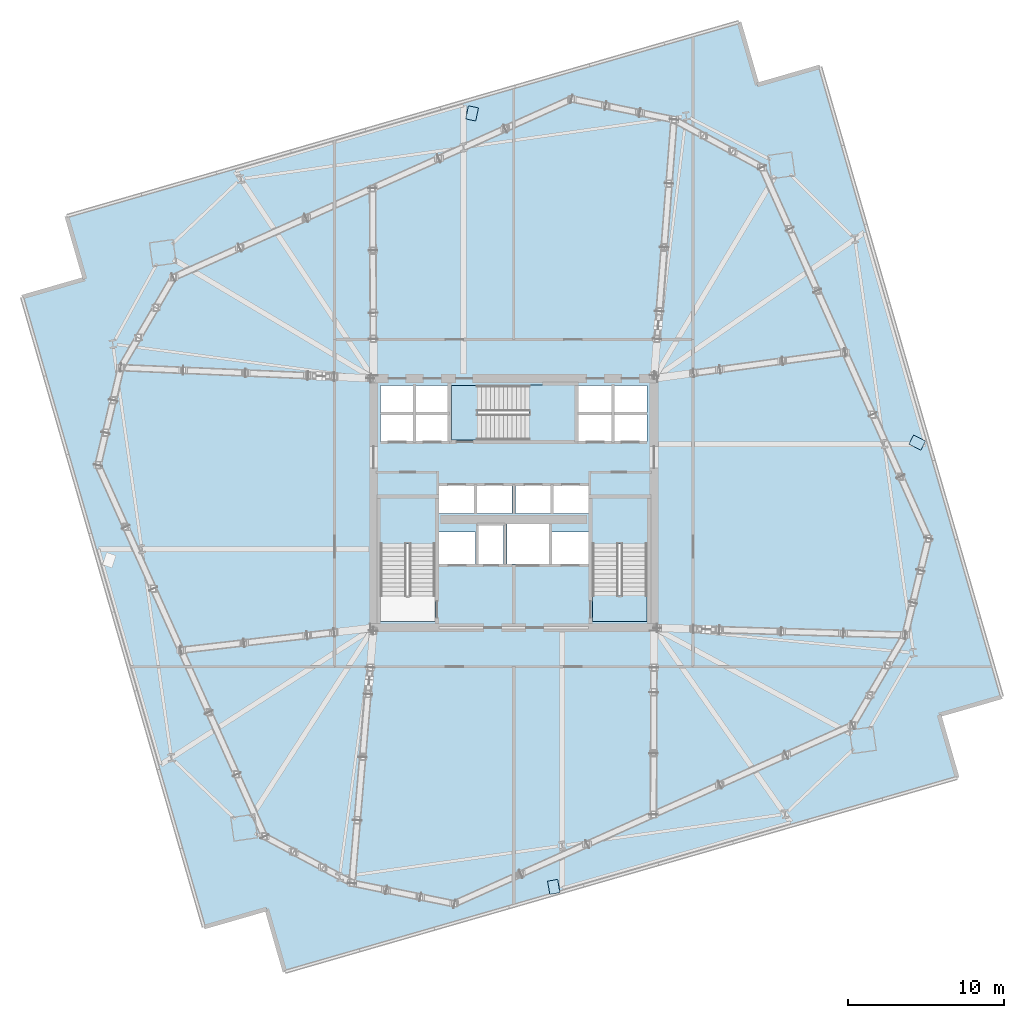
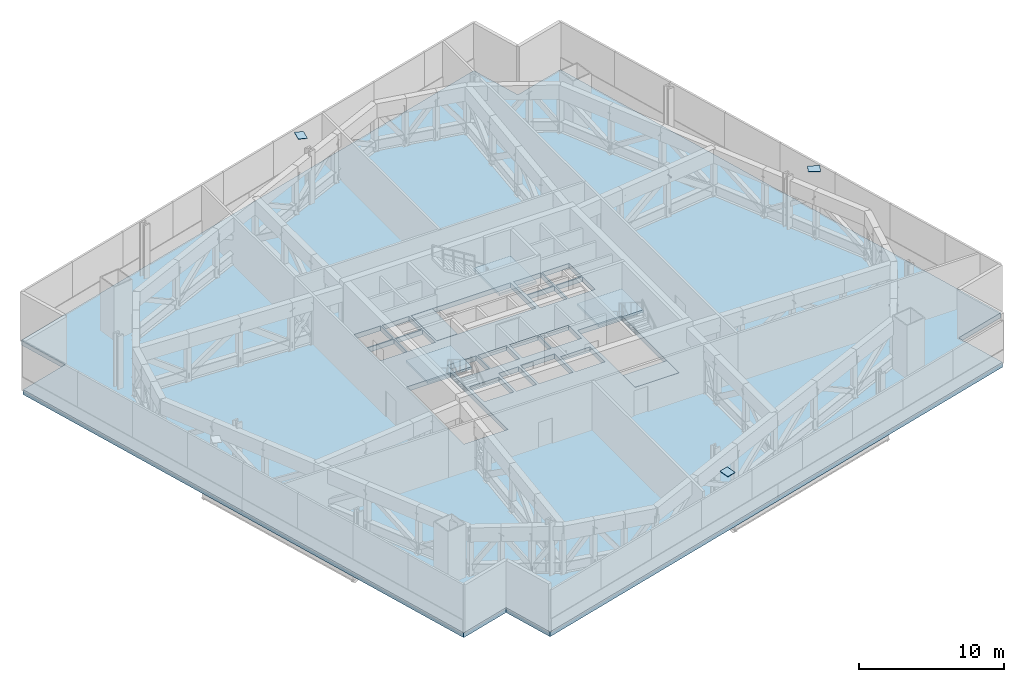
# One storey, part 7 of 19: 6 slabs, 3 plates, 3 elements without a shape of their own.
"""IFC4 building model written with IfcOpenShell, lengths in metres."""

import ifcopenshell
import ifcopenshell.guid

model = None  # the IFC model being written
_history = None  # IfcOwnerHistory: only IFC2X3 demands one
_inside = {}  # id of a spatial element -> (the spatial element, [elements in it])
_under = {}  # id of a project, library or spatial element -> (it, [spatial elements below it])
_declared = {}  # id of a project -> (the project, [libraries it declares])
_typed = {}  # id of a type object -> (the type object, [elements of that type])
_made_of = {}  # id of a material, layer set ... -> (it, [elements and type objects made of it])


def new_model(schema):
    """Start an empty IFC model of exactly this schema.

    Asked for "IFC4X3", IfcOpenShell would pick the latest addendum, in which some entities
    have other attributes; the version numbers below select the first issue.
    IFC2X3 requires an IfcOwnerHistory on every rooted entity: one is made here for all.
    """
    global model, _history
    if schema == "IFC4X3":
        model = ifcopenshell.file(schema_version=(4, 3, 0, 0))
    else:
        model = ifcopenshell.file(schema=schema)
    _inside.clear()
    _under.clear()
    _declared.clear()
    _typed.clear()
    _made_of.clear()
    _history = None
    if model.schema == "IFC2X3":
        org = make("IfcOrganization", Name="unknown")
        user = make(
            "IfcPersonAndOrganization",
            ThePerson=make("IfcPerson", FamilyName="unknown"),
            TheOrganization=org,
        )
        app = make(
            "IfcApplication",
            ApplicationDeveloper=org,
            Version="unknown",
            ApplicationFullName="unknown",
            ApplicationIdentifier="unknown",
        )
        _history = make(
            "IfcOwnerHistory",
            OwningUser=user,
            OwningApplication=app,
            ChangeAction="ADDED",
            CreationDate=0,
        )
    return model


def make(cls, **values):
    """One entity of the class cls with the attributes given. An attribute that is None is left unset."""
    return model.create_entity(
        cls, **{name: value for name, value in values.items() if value is not None}
    )


def rooted(cls, **values):
    """An entity with a GlobalId (a new one), such as an element, a storey or a relation."""
    return make(cls, GlobalId=ifcopenshell.guid.new(), OwnerHistory=_history, **values)


def si_unit(unit_type, name, prefix=None):
    """IfcSIUnit, for example si_unit("LENGTHUNIT", "METRE", prefix="MILLI")."""
    return make("IfcSIUnit", UnitType=unit_type, Prefix=prefix, Name=name)


def assignment(units):
    """IfcUnitAssignment: the units of a project."""
    return None if units is None else make("IfcUnitAssignment", Units=units)


def point(xyz):
    """IfcCartesianPoint."""
    return None if xyz is None else make("IfcCartesianPoint", Coordinates=xyz)


def direction(xyz):
    """IfcDirection."""
    return None if xyz is None else make("IfcDirection", DirectionRatios=xyz)


def frame(location, z_axis=None, x_axis=None):
    """IfcAxis2Placement3D, a coordinate frame: its origin and axes. An axis left out is left unset."""
    return make(
        "IfcAxis2Placement3D",
        Location=point(location),
        Axis=direction(z_axis),
        RefDirection=direction(x_axis),
    )


def frame_2d(location, x_axis=None):
    """IfcAxis2Placement2D, a coordinate frame in the plane: its origin and x axis."""
    return make(
        "IfcAxis2Placement2D", Location=point(location), RefDirection=direction(x_axis)
    )


def origin():
    """The frame at (0, 0, 0) with its axes left unset."""
    return frame((0.0, 0.0, 0.0))


def origin_2d():
    """The frame at (0, 0) in the plane with its x axis left unset."""
    return frame_2d((0.0, 0.0))


def place(relative_to, where):
    """IfcLocalPlacement: puts the frame where relative to a parent placement (None: the world)."""
    return make(
        "IfcLocalPlacement", PlacementRelTo=relative_to, RelativePlacement=where
    )


def context(
    kind, dimensions, precision=None, world=None, true_north=None, identifier=None
):
    """IfcGeometricRepresentationContext, for example the 3D "Model" context."""
    return make(
        "IfcGeometricRepresentationContext",
        ContextIdentifier=identifier,
        ContextType=kind,
        CoordinateSpaceDimension=dimensions,
        Precision=precision,
        WorldCoordinateSystem=world,
        TrueNorth=true_north,
    )


def subcontext(parent, identifier, kind, view, scale=None):
    """IfcGeometricRepresentationSubContext, for example "Body" below "Model"."""
    return make(
        "IfcGeometricRepresentationSubContext",
        ContextIdentifier=identifier,
        ContextType=kind,
        ParentContext=parent,
        TargetScale=scale,
        TargetView=view,
    )


def project(units=None, contexts=None):
    """IfcProject with its units and contexts."""
    return rooted(
        "IfcProject",
        Name="project",
        RepresentationContexts=contexts,
        UnitsInContext=assignment(units),
    )


def spatial(cls, under=None, at=None, **own):
    """A site, building, storey or space (cls), placed at a placement, below another one or the project."""
    s = rooted(cls, ObjectPlacement=at, **own)
    if under is not None:
        _under.setdefault(under.id(), (under, []))[1].append(s)
    return s


def polyline(points):
    """IfcPolyline through the points."""
    return make("IfcPolyline", Points=[point(p) for p in points])


def profile(cls, at=None, kind="AREA", **sizes):
    """A parametric profile (cls). Its sizes go by their IFC names, for example OverallWidth=200.0."""
    return make(cls, ProfileType=kind, Position=at, **sizes)


def rectangle(**sizes):
    """IfcRectangleProfileDef."""
    return profile("IfcRectangleProfileDef", **sizes)


def outline(outer, holes=None, kind="AREA"):
    """IfcArbitraryClosedProfileDef: a profile drawn as a closed curve; with holes, ...WithVoids."""
    if holes is None:
        return make("IfcArbitraryClosedProfileDef", ProfileType=kind, OuterCurve=outer)
    return make(
        "IfcArbitraryProfileDefWithVoids",
        ProfileType=kind,
        OuterCurve=outer,
        InnerCurves=holes,
    )


def extrude(swept, where, along, depth):
    """IfcExtrudedAreaSolid: the profile swept, set in the frame where, extruded along a direction by depth."""
    return make(
        "IfcExtrudedAreaSolid",
        SweptArea=swept,
        Position=where,
        ExtrudedDirection=direction(along),
        Depth=depth,
    )


def shape(context_of_items, identifier, shape_type, items):
    """IfcShapeRepresentation: the items that make up one representation, for example the "Body"."""
    return make(
        "IfcShapeRepresentation",
        ContextOfItems=context_of_items,
        RepresentationIdentifier=identifier,
        RepresentationType=shape_type,
        Items=items,
    )


def source(mapping_origin, context_of_items, identifier, shape_type, items):
    """IfcRepresentationMap: a shape defined once, which mapped items show again and again."""
    return make(
        "IfcRepresentationMap",
        MappingOrigin=mapping_origin,
        MappedRepresentation=shape(context_of_items, identifier, shape_type, items),
    )


def transform(
    local_origin,
    x_axis=None,
    y_axis=None,
    z_axis=None,
    scale=None,
    scale2=None,
    scale3=None,
    uniform=True,
):
    """IfcCartesianTransformationOperator3D, or its non-uniform kind. x_axis, y_axis, z_axis: its Axis1, 2, 3."""
    if uniform:
        return make(
            "IfcCartesianTransformationOperator3D",
            Axis1=direction(x_axis),
            Axis2=direction(y_axis),
            LocalOrigin=point(local_origin),
            Scale=scale,
            Axis3=direction(z_axis),
        )
    return make(
        "IfcCartesianTransformationOperator3DnonUniform",
        Axis1=direction(x_axis),
        Axis2=direction(y_axis),
        LocalOrigin=point(local_origin),
        Scale=scale,
        Axis3=direction(z_axis),
        Scale2=scale2,
        Scale3=scale3,
    )


def mapped(mapping_source, mapping_target):
    """IfcMappedItem: shows the shape of a source again, moved by a transform."""
    return make(
        "IfcMappedItem", MappingSource=mapping_source, MappingTarget=mapping_target
    )


def material(Name=None, Category=None):
    """IfcMaterial."""
    return make("IfcMaterial", Name=Name, Category=Category)


def layer(
    of_material, thickness, ventilated=None, Name=None, Category=None, Priority=None
):
    """IfcMaterialLayer: one layer of a wall or slab, of a material (None: an air gap)."""
    return make(
        "IfcMaterialLayer",
        Material=of_material,
        LayerThickness=thickness,
        IsVentilated=ventilated,
        Name=Name,
        Category=Category,
        Priority=Priority,
    )


def layer_set(layers, Name=None):
    """IfcMaterialLayerSet."""
    return make("IfcMaterialLayerSet", MaterialLayers=layers, LayerSetName=Name)


def made_of(thing, what):
    """Note that an element or type object is made of a material, layer set ...; save() writes the relation."""
    if what is not None:
        _made_of.setdefault(what.id(), (what, []))[1].append(thing)
    return thing


def type_object(cls, material=None, **own):
    """A type object (cls), such as IfcWallType, which elements share."""
    return made_of(rooted(cls, **own), material)


def element(
    cls,
    number,
    at=None,
    inside=None,
    cuts=None,
    type_object=None,
    material=None,
    context=None,
    identifier="Body",
    shape_type=None,
    held_by="IfcProductDefinitionShape",
    body=None,
    shapes=None,
    **own,
):
    """One element of the class cls, such as IfcWall. Its Tag is "e" and its number.

    at: its placement. inside: the storey or other place that contains it. cuts: it is an
    opening in that element (IfcRelVoidsElement). A single representation is given by context,
    identifier, shape_type and body (its items); several are given by shapes. held_by: the class
    of the entity that holds the representations. save() writes the other relations.
    """
    e = rooted(cls, Tag="e%d" % number, ObjectPlacement=at, **own)
    if body is not None:
        shapes = [shape(context, identifier, shape_type, body)]
    if shapes is not None:
        e.Representation = make(held_by, Representations=shapes)
    if inside is not None:
        _inside.setdefault(inside.id(), (inside, []))[1].append(e)
    if cuts is not None:
        rooted(
            "IfcRelVoidsElement", RelatingBuildingElement=cuts, RelatedOpeningElement=e
        )
    if type_object is not None:
        _typed.setdefault(type_object.id(), (type_object, []))[1].append(e)
    return made_of(e, material)


def aggregate(whole, parts):
    """IfcRelAggregates: a whole, such as a stair, and the parts it consists of."""
    return rooted("IfcRelAggregates", RelatingObject=whole, RelatedObjects=parts)


def save(model, path):
    """Write the relations noted so far, then the file.

    IfcRelAggregates (storeys below a building ...), IfcRelContainedInSpatialStructure (elements
    in a storey), IfcRelDefinesByType, IfcRelAssociatesMaterial and IfcRelDeclares: one each for
    every whole, place, type object, material and project.
    """
    for whole, parts in _under.values():
        aggregate(whole, parts)
    for where, things in _inside.values():
        rooted(
            "IfcRelContainedInSpatialStructure",
            RelatedElements=things,
            RelatingStructure=where,
        )
    for kind, things in _typed.values():
        rooted("IfcRelDefinesByType", RelatedObjects=things, RelatingType=kind)
    for what, things in _made_of.values():
        rooted("IfcRelAssociatesMaterial", RelatedObjects=things, RelatingMaterial=what)
    for by, libraries in _declared.values():
        rooted("IfcRelDeclares", RelatingContext=by, RelatedDefinitions=libraries)
    model.write(path)


model = new_model("IFC4")

# Units and contexts
model_context = context("Model", 3, precision=1e-05, world=origin(), true_north=direction((0.0, 1.0)))
body_context = subcontext(model_context, "Body", "Model", "MODEL_VIEW")
ifc_project = project(units=[si_unit("LENGTHUNIT", "METRE"), si_unit("AREAUNIT", "SQUARE_METRE"), si_unit("VOLUMEUNIT", "CUBIC_METRE"), si_unit("PLANEANGLEUNIT", "RADIAN"), si_unit("MASSUNIT", "GRAM", prefix="KILO")], contexts=[model_context])

# Site, building, storey
site_placement = place(None, origin())
site = spatial("IfcSite", under=ifc_project, at=site_placement, CompositionType="ELEMENT")
building_placement = place(site_placement, origin())
building = spatial("IfcBuilding", under=site, at=building_placement, Name="Haldenkirk Collegiate Tower", CompositionType="ELEMENT")
storey_placement = place(building_placement, frame((0.0, 0.0, 81.449951171875)))
storey = spatial("IfcBuildingStorey", under=building, at=storey_placement, Name="L19", CompositionType="ELEMENT", Elevation=81.449951171875)

# Slab
ifc_material_1 = material(Name="Concrete f'c 40 MPa", Category="concrete")
ifc_layer_1 = layer(ifc_material_1, 0.409912109375)
ifc_layer_set_1 = layer_set([ifc_layer_1], Name="Concrete f'c 40 MPa")
slab_type_1 = type_object("IfcSlabType", Name="SLB-FLR-410", PredefinedType="FLOOR", material=ifc_layer_set_1)
slab_1_placement = place(storey_placement, frame((0.0, 0.0, -0.409912109375)))
element("IfcSlab", 1, at=slab_1_placement, inside=storey, type_object=slab_type_1, Name="L19 composite structural floor slab", PredefinedType="FLOOR", context=body_context, shape_type="SweptSolid", body=[
    extrude(outline(polyline([(21.314697265625, -4.0771484375), (64.453857421875, 8.37451171875), (63.2890625, 12.40966796875), (67.324462890625, 13.574462890625), (55.656494140625, 53.9990234375), (51.62109375, 52.83447265625), (50.456298828125, 56.86962890625), (7.3173828125, 44.418212890625), (8.482177734375, 40.383056640625), (4.44677734375, 39.21826171875), (16.114990234375, -1.20654296875), (20.150146484375, -0.041748046875), (21.314697265625, -4.0771484375)]), holes=[polyline([(27.449951171875, 18.39990234375), (30.949951171875, 18.39990234375), (30.949951171875, 26.300048828125), (27.449951171875, 26.300048828125), (27.449951171875, 18.39990234375)]), polyline([(41.050048828125, 18.39990234375), (44.550048828125, 18.39990234375), (44.550048828125, 26.300048828125), (41.050048828125, 26.300048828125), (41.050048828125, 18.39990234375)]), polyline([(32.0, 30.050048828125), (39.89990234375, 30.050048828125), (39.89990234375, 33.550048828125), (32.0, 33.550048828125), (32.0, 30.050048828125)]), polyline([(33.75, 22.10009765625), (35.35009765625, 22.10009765625), (35.35009765625, 24.550048828125), (33.75, 24.550048828125), (33.75, 22.10009765625)]), polyline([(27.449951171875, 29.949951171875), (29.580078125, 29.949951171875), (29.580078125, 31.699951171875), (27.449951171875, 31.699951171875), (27.449951171875, 29.949951171875)]), polyline([(29.679931640625, 29.949951171875), (31.85009765625, 29.949951171875), (31.85009765625, 31.699951171875), (29.679931640625, 31.699951171875), (29.679931640625, 29.949951171875)]), polyline([(27.449951171875, 31.800048828125), (29.580078125, 31.800048828125), (29.580078125, 33.550048828125), (27.449951171875, 33.550048828125), (27.449951171875, 31.800048828125)]), polyline([(29.679931640625, 31.800048828125), (31.85009765625, 31.800048828125), (31.85009765625, 33.550048828125), (29.679931640625, 33.550048828125), (29.679931640625, 31.800048828125)]), polyline([(40.14990234375, 29.949951171875), (42.320068359375, 29.949951171875), (42.320068359375, 31.699951171875), (40.14990234375, 31.699951171875), (40.14990234375, 29.949951171875)]), polyline([(42.419921875, 29.949951171875), (44.550048828125, 29.949951171875), (44.550048828125, 31.699951171875), (42.419921875, 31.699951171875), (42.419921875, 29.949951171875)]), polyline([(40.14990234375, 31.800048828125), (42.320068359375, 31.800048828125), (42.320068359375, 33.550048828125), (40.14990234375, 33.550048828125), (40.14990234375, 31.800048828125)]), polyline([(42.419921875, 31.800048828125), (44.550048828125, 31.800048828125), (44.550048828125, 33.550048828125), (42.419921875, 33.550048828125), (42.419921875, 31.800048828125)]), polyline([(31.199951171875, 25.35009765625), (33.47998046875, 25.35009765625), (33.47998046875, 27.14990234375), (31.199951171875, 27.14990234375), (31.199951171875, 25.35009765625)]), polyline([(33.60009765625, 25.35009765625), (35.8798828125, 25.35009765625), (35.8798828125, 27.14990234375), (33.60009765625, 27.14990234375), (33.60009765625, 25.35009765625)]), polyline([(36.1201171875, 25.35009765625), (38.39990234375, 25.35009765625), (38.39990234375, 27.14990234375), (36.1201171875, 27.14990234375), (36.1201171875, 25.35009765625)]), polyline([(38.52001953125, 25.35009765625), (40.800048828125, 25.35009765625), (40.800048828125, 27.14990234375), (38.52001953125, 27.14990234375), (38.52001953125, 25.35009765625)]), polyline([(31.199951171875, 22.10009765625), (33.550048828125, 22.10009765625), (33.550048828125, 24.14990234375), (31.199951171875, 24.14990234375), (31.199951171875, 22.10009765625)]), polyline([(38.449951171875, 22.10009765625), (40.800048828125, 22.10009765625), (40.800048828125, 24.14990234375), (38.449951171875, 24.14990234375), (38.449951171875, 22.10009765625)]), polyline([(35.550048828125, 22.10009765625), (38.25, 22.10009765625), (38.25, 24.64990234375), (35.550048828125, 24.64990234375), (35.550048828125, 22.10009765625)])]), origin(), (0.0, 0.0, 1.0), 0.409912109375),
])

# Stair, slab
stair_type = type_object("IfcStairType", Name="STR-DOGLEG-1650", PredefinedType="HALF_TURN_STAIR", material=ifc_material_1)
stair_1_placement = place(storey_placement, origin())
stair_1 = element("IfcStair", 2, at=stair_1_placement, inside=storey, type_object=stair_type, Name="L19 Core Exit Stair ST-1", PredefinedType="HALF_TURN_STAIR")
ifc_layer_2 = layer(ifc_material_1, 0.199951171875)
ifc_layer_set_2 = layer_set([ifc_layer_2], Name="Concrete f'c 40 MPa")
slab_type_2 = type_object("IfcSlabType", Name="SLB-LANDING-200", PredefinedType="LANDING", material=ifc_layer_set_2)
slab_2_placement = place(storey_placement, frame((0.0, 0.0, 2.050048828125)))
slab_2 = element("IfcSlab", 3, at=slab_2_placement, type_object=slab_type_2, Name="ST-1 landing 1", PredefinedType="LANDING", context=body_context, shape_type="SweptSolid", body=[
    extrude(outline(polyline([(30.97509765625, 23.385009765625), (27.425048828125, 23.385009765625), (27.425048828125, 26.324951171875), (30.97509765625, 26.324951171875), (30.97509765625, 23.385009765625)])), origin(), (0.0, 0.0, 1.0), 0.199951171875),
])
aggregate(stair_1, [slab_2])

stair_2_placement = place(storey_placement, origin())
stair_2 = element("IfcStair", 4, at=stair_2_placement, inside=storey, type_object=stair_type, Name="L19 Core Exit Stair ST-2", PredefinedType="HALF_TURN_STAIR")
slab_3_placement = place(storey_placement, frame((0.0, 0.0, 2.050048828125)))
slab_3 = element("IfcSlab", 5, at=slab_3_placement, type_object=slab_type_2, Name="ST-2 landing 1", PredefinedType="LANDING", context=body_context, shape_type="SweptSolid", body=[
    extrude(outline(polyline([(44.574951171875, 23.385009765625), (41.02490234375, 23.385009765625), (41.02490234375, 26.324951171875), (44.574951171875, 26.324951171875), (44.574951171875, 23.385009765625)])), origin(), (0.0, 0.0, 1.0), 0.199951171875),
])
aggregate(stair_2, [slab_3])

stair_3_placement = place(storey_placement, origin())
stair_3 = element("IfcStair", 6, at=stair_3_placement, inside=storey, type_object=stair_type, Name="L19 Core Exit Stair ST-3", PredefinedType="HALF_TURN_STAIR")
slab_4_placement = place(storey_placement, frame((0.0, 0.0, 2.050048828125)))
slab_4 = element("IfcSlab", 7, at=slab_4_placement, type_object=slab_type_2, Name="ST-3 landing 1", PredefinedType="LANDING", context=body_context, shape_type="SweptSolid", body=[
    extrude(outline(polyline([(36.985107421875, 30.02490234375), (36.985107421875, 33.574951171875), (39.925048828125, 33.574951171875), (39.925048828125, 30.02490234375), (36.985107421875, 30.02490234375)])), origin(), (0.0, 0.0, 1.0), 0.199951171875),
])
aggregate(stair_3, [slab_4])

# Slabs
ifc_layer_3 = layer(ifc_material_1, 0.25)
ifc_layer_set_3 = layer_set([ifc_layer_3], Name="Concrete f'c 40 MPa")
slab_type_3 = type_object("IfcSlabType", Name="SLB-STAIRLAND-250", PredefinedType="LANDING", material=ifc_layer_set_3)
slab_5_placement = place(storey_placement, frame((0.0, 0.0, -0.25)))
element("IfcSlab", 8, at=slab_5_placement, inside=storey, type_object=slab_type_3, Name="L19 stair ST2 structural floor landing slab", PredefinedType="LANDING", context=body_context, shape_type="SweptSolid", body=[
    extrude(outline(polyline([(41.06005859375, 18.409912109375), (44.5400390625, 18.409912109375), (44.5400390625, 20.080078125), (41.06005859375, 20.080078125), (41.06005859375, 18.409912109375)])), origin(), (0.0, 0.0, 1.0), 0.25),
])
slab_6_placement = place(storey_placement, frame((0.0, 0.0, -0.25)))
element("IfcSlab", 9, at=slab_6_placement, inside=storey, type_object=slab_type_3, Name="L19 stair ST3 structural floor landing slab", PredefinedType="LANDING", context=body_context, shape_type="SweptSolid", body=[
    extrude(outline(polyline([(32.010009765625, 30.06005859375), (33.679931640625, 30.06005859375), (33.679931640625, 33.5400390625), (32.010009765625, 33.5400390625), (32.010009765625, 30.06005859375)])), origin(), (0.0, 0.0, 1.0), 0.25),
])

# Plates
ifc_material_2 = material(Name="Steel ASTM A572 Grade 50", Category="steel")
ifc_layer_4 = layer(ifc_material_2, 0.034912109375)
ifc_layer_set_4 = layer_set([ifc_layer_4], Name="Steel ASTM A572 Grade 50")
plate_type = type_object("IfcPlateType", Name="PLT-CAP-EXT-760X600", PredefinedType="USERDEFINED", material=ifc_layer_set_4)
shared_shape = source(origin(), body_context, "Body", "SweptSolid", [
    extrude(rectangle(XDim=0.860107421875, YDim=0.659912109375, at=origin_2d()), origin(), (0.0, 0.0, 1.0), 0.034912109375),
])
for number, where, z_axis, x_axis, name in (
    (10, (38.56640625, 1.373291015625, 4.0771484375), (-0.094130048794, -0.016479008542, 0.995423515993), (0.172441961355, -0.985019679988, -1.783e-07), "Perimeter Mega Brace Z1 L17-L19 SL end cap plate 2"),
    (11, (61.893310546875, 29.8828125, 4.0771484375), (-0.020868990955, -0.041014982223, 0.998940567026), (0.89126756934, -0.453477805236, 4.71222e-07), "Perimeter Mega Brace Z1 L17-L19 EL end cap plate 2"),
    (12, (33.319580078125, 51.010009765625, 4.0771484375), (0.094554959701, -0.020056991452, 0.995317575797), (0.207501927686, 0.978234608878, 1.0728e-07), "Perimeter Mega Brace Z1 L17-L19 NL end cap plate 2"),
):
    element("IfcPlate", number, at=place(storey_placement, frame(where, z_axis=z_axis, x_axis=x_axis)), inside=storey, type_object=plate_type, Name=name, ObjectType="END CAP PLATE", PredefinedType="USERDEFINED", context=body_context, shape_type="MappedRepresentation", body=[
        mapped(shared_shape, transform((0.0, 0.0, 0.0), x_axis=(1.0, 0.0, 0.0), y_axis=(0.0, 1.0, 0.0), z_axis=(0.0, 0.0, 1.0), scale=1.0)),
    ])

save(model, "model.ifc")
